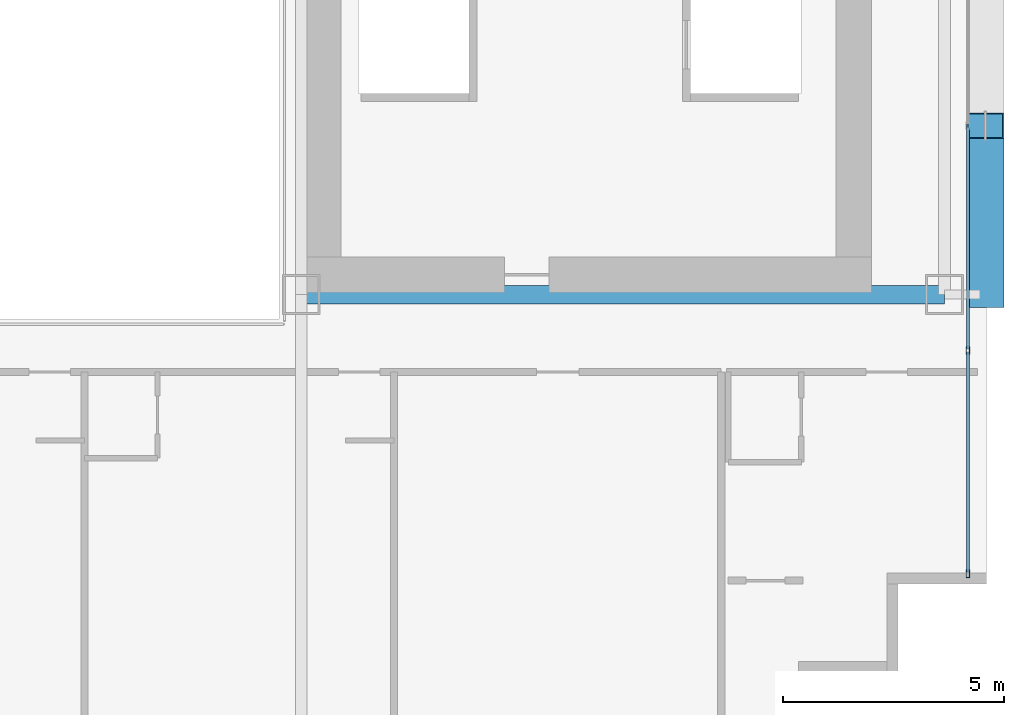
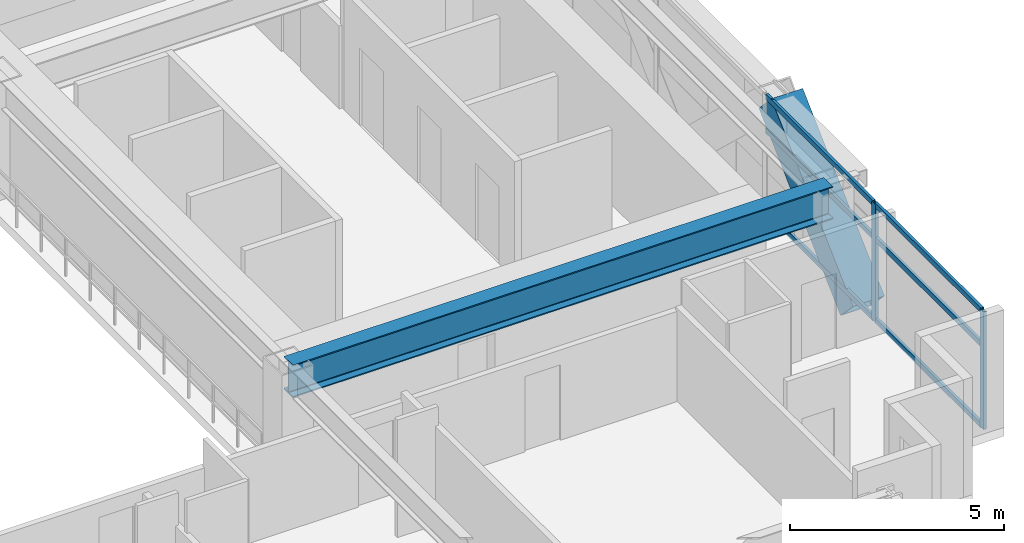
# One storey, part 11 of 35: 9 members, 1 beam, 1 element without a shape of its own.
"""IFC4 building model written with IfcOpenShell, lengths in metres."""

from ifc_helpers import new_model, si_unit, direction, frame, origin, origin_2d, place, context, subcontext, project, spatial, hollow_rectangle, i_section, extrude, source, transform, mapped, material, layer, layer_set, material_profile, profile_set, type_object, element, aggregate, save


model = new_model("IFC4")

# Units and contexts
model_context = context("Model", 3, precision=1e-05, world=origin(), true_north=direction((0.0, 1.0)))
body_context = subcontext(model_context, "Body", "Model", "MODEL_VIEW")
ifc_project = project(units=[si_unit("LENGTHUNIT", "METRE"), si_unit("AREAUNIT", "SQUARE_METRE"), si_unit("VOLUMEUNIT", "CUBIC_METRE"), si_unit("PLANEANGLEUNIT", "RADIAN"), si_unit("MASSUNIT", "GRAM", prefix="KILO")], contexts=[model_context])

# Site, building, storey
site_placement = place(None, origin())
site = spatial("IfcSite", under=ifc_project, at=site_placement, CompositionType="ELEMENT")
building_placement = place(site_placement, origin())
building = spatial("IfcBuilding", under=site, at=building_placement, Name="Ocotamira Hotel", CompositionType="ELEMENT")
storey_placement = place(building_placement, frame((0.0, 0.0, 78.0)))
storey = spatial("IfcBuildingStorey", under=building, at=storey_placement, Name="L19", CompositionType="ELEMENT", Elevation=78.0)

# Beam
ifc_material_1 = material(Name="Steel ASTM A992 Grade 50", Category="steel")
ifc_material_profile_1 = material_profile(ifc_material_1, i_section(OverallWidth=0.41796875, OverallDepth=0.927001953125, WebThickness=0.019287109375, FlangeThickness=0.031982421875, FilletRadius=0.02392578125, at=origin_2d()), Name="W36X231")
ifc_profile_set_1 = profile_set([ifc_material_profile_1], Name="Steel ASTM A992 Grade 50")
beam_type = type_object("IfcBeamType", Name="BM-GIRD-W36X231", PredefinedType="BEAM", material=ifc_profile_set_1)
shared_shape_1 = source(origin(), body_context, "Body", "SweptSolid", [
    extrude(i_section(OverallWidth=0.41796875, OverallDepth=0.927001953125, WebThickness=0.019287109375, FlangeThickness=0.031982421875, FilletRadius=0.02392578125, at=origin_2d()), origin(), (0.0, 0.0, 1.0), 14.550048828125),
])
beam_placement = place(storey_placement, frame((40.5, 14.550048828125, 2.886474609375), z_axis=(1.0, 0.0, 0.0), x_axis=(0.0, 1.0, 0.0)))
element("IfcBeam", 1, at=beam_placement, inside=storey, type_object=beam_type, Name="L19 Girder Y14.55 X40.5-55.05", PredefinedType="BEAM", context=body_context, shape_type="MappedRepresentation", body=[
    mapped(shared_shape_1, transform((0.0, 0.0, 0.0), scale=1.0)),
])

# Member
ifc_material_2 = material(Name="Pale-metal coated steel ASTM A913 Grade 65", Category="steel")
ifc_material_profile_2 = material_profile(ifc_material_2, hollow_rectangle(XDim=0.85009765625, YDim=0.85009765625, WallThickness=0.035888671875, at=origin_2d()), Name="BOX850X850X36")
ifc_profile_set_2 = profile_set([ifc_material_profile_2], Name="Pale-metal coated steel ASTM A913 Grade 65")
member_type_1 = type_object("IfcMemberType", Name="MEM-EXO-BOX850", PredefinedType="BRACE", material=ifc_profile_set_2)
shared_shape_2 = source(origin(), body_context, "Body", "SweptSolid", [
    extrude(hollow_rectangle(XDim=0.85009765625, YDim=0.85009765625, WallThickness=0.035888671875, at=origin_2d()), origin(), (0.0, 0.0, 1.0), 5.24658203125),
])
member_1_placement = place(storey_placement, frame((55.969970703125, 14.550048828125, -0.5), z_axis=(0.0, 0.727442733726, 0.686168397078), x_axis=(-1.0, 0.0, 0.0)))
element("IfcMember", 2, at=member_1_placement, inside=storey, type_object=member_type_1, Name="L19 Exoskeleton Diagrid E0.1", PredefinedType="BRACE", context=body_context, shape_type="MappedRepresentation", body=[
    mapped(shared_shape_2, transform((0.0, 0.0, 0.0), scale=1.0)),
])

# Curtain wall, members
ifc_material_3 = material(Name="Anodised pale-metal aluminium and solar glass", Category="aluminium")
ifc_layer = layer(ifc_material_3, 0.179931640625)
ifc_layer_set = layer_set([ifc_layer], Name="Anodised pale-metal aluminium and solar glass")
curtain_wall_type = type_object("IfcCurtainWallType", Name="CW-SYS2-Z1", PredefinedType="NOTDEFINED", material=ifc_layer_set)
curtain_wall_placement = place(storey_placement, origin())
curtain_wall = element("IfcCurtainWall", 3, at=curtain_wall_placement, inside=storey, type_object=curtain_wall_type, Name="L19 Curtain Wall CW-2 CW-L19-E", PredefinedType="NOTDEFINED")
ifc_material_4 = material(Name="Anodised pale-metal aluminium 6063-T6", Category="aluminium")
ifc_material_profile_3 = material_profile(ifc_material_4, hollow_rectangle(XDim=0.074951171875, YDim=0.14990234375, WallThickness=0.006103515625, at=origin_2d()), Name="HSS150X75X6")
ifc_profile_set_3 = profile_set([ifc_material_profile_3], Name="Anodised pale-metal aluminium 6063-T6")
member_type_2 = type_object("IfcMemberType", Name="CWT-150X75", PredefinedType="USERDEFINED", material=ifc_profile_set_3)
shared_shape_3 = source(origin(), body_context, "Body", "SweptSolid", [
    extrude(hollow_rectangle(XDim=0.074951171875, YDim=0.14990234375, WallThickness=0.006103515625, at=origin_2d()), origin(), (0.0, 0.0, 1.0), 4.965576171875),
])
member_2_placement = place(storey_placement, frame((55.580078125, 8.280029296875, 0.03759765625), z_axis=(0.0, 1.0, 0.0), x_axis=(-1.0, 0.0, 0.0)))
member_2 = element("IfcMember", 4, at=member_2_placement, type_object=member_type_2, Name="CW-2 transom 1.1", ObjectType="TRANSOM", PredefinedType="USERDEFINED", context=body_context, shape_type="MappedRepresentation", body=[
    mapped(shared_shape_3, transform((0.0, 0.0, 0.0), scale=1.0)),
])
member_3_placement = place(storey_placement, frame((55.580078125, 8.280029296875, 2.35009765625), z_axis=(0.0, 1.0, 0.0), x_axis=(-1.0, 0.0, 0.0)))
member_3 = element("IfcMember", 5, at=member_3_placement, type_object=member_type_2, Name="CW-2 transom 1.2", ObjectType="TRANSOM", PredefinedType="USERDEFINED", context=body_context, shape_type="MappedRepresentation", body=[
    mapped(shared_shape_3, transform((0.0, 0.0, 0.0), scale=1.0)),
])
member_4_placement = place(storey_placement, frame((55.580078125, 8.280029296875, 3.3125), z_axis=(0.0, 1.0, 0.0), x_axis=(-1.0, 0.0, 0.0)))
member_4 = element("IfcMember", 6, at=member_4_placement, type_object=member_type_2, Name="CW-2 transom 1.3", ObjectType="TRANSOM", PredefinedType="USERDEFINED", context=body_context, shape_type="MappedRepresentation", body=[
    mapped(shared_shape_3, transform((0.0, 0.0, 0.0), scale=1.0)),
])
shared_shape_4 = source(origin(), body_context, "Body", "SweptSolid", [
    extrude(hollow_rectangle(XDim=0.074951171875, YDim=0.14990234375, WallThickness=0.006103515625, at=origin_2d()), origin(), (0.0, 0.0, 1.0), 5.005859375),
])
member_5_placement = place(storey_placement, frame((55.580078125, 13.32568359375, 0.03759765625), z_axis=(0.0, 1.0, 0.0), x_axis=(-1.0, 0.0, 0.0)))
member_5 = element("IfcMember", 7, at=member_5_placement, type_object=member_type_2, Name="CW-2 transom 2.1", ObjectType="TRANSOM", PredefinedType="USERDEFINED", context=body_context, shape_type="MappedRepresentation", body=[
    mapped(shared_shape_4, transform((0.0, 0.0, 0.0), scale=1.0)),
])
member_6_placement = place(storey_placement, frame((55.580078125, 13.32568359375, 2.35009765625), z_axis=(0.0, 1.0, 0.0), x_axis=(-1.0, 0.0, 0.0)))
member_6 = element("IfcMember", 8, at=member_6_placement, type_object=member_type_2, Name="CW-2 transom 2.2", ObjectType="TRANSOM", PredefinedType="USERDEFINED", context=body_context, shape_type="MappedRepresentation", body=[
    mapped(shared_shape_4, transform((0.0, 0.0, 0.0), scale=1.0)),
])
member_7_placement = place(storey_placement, frame((55.580078125, 13.32568359375, 3.3125), z_axis=(0.0, 1.0, 0.0), x_axis=(-1.0, 0.0, 0.0)))
member_7 = element("IfcMember", 9, at=member_7_placement, type_object=member_type_2, Name="CW-2 transom 2.3", ObjectType="TRANSOM", PredefinedType="USERDEFINED", context=body_context, shape_type="MappedRepresentation", body=[
    mapped(shared_shape_4, transform((0.0, 0.0, 0.0), scale=1.0)),
])
ifc_material_profile_4 = material_profile(ifc_material_4, hollow_rectangle(XDim=0.080078125, YDim=0.179931640625, WallThickness=0.006103515625, at=origin_2d()), Name="HSS180X80X6")
ifc_profile_set_4 = profile_set([ifc_material_profile_4], Name="Anodised pale-metal aluminium 6063-T6")
member_type_3 = type_object("IfcMemberType", Name="CWM-180X75", PredefinedType="MULLION", material=ifc_profile_set_4)
shared_shape_5 = source(origin(), body_context, "Body", "SweptSolid", [
    extrude(hollow_rectangle(XDim=0.080078125, YDim=0.179931640625, WallThickness=0.006103515625, at=origin_2d()), origin(), (0.0, 0.0, 1.0), 3.35009765625),
])
member_8_placement = place(storey_placement, frame((55.580078125, 8.239990234375, 0.0), z_axis=(0.0, 0.0, 1.0), x_axis=(-1.0, 0.0, 0.0)))
member_8 = element("IfcMember", 10, at=member_8_placement, type_object=member_type_3, Name="CW-2 mullion 1", PredefinedType="MULLION", context=body_context, shape_type="MappedRepresentation", body=[
    mapped(shared_shape_5, transform((0.0, 0.0, 0.0), scale=1.0)),
])
member_9_placement = place(storey_placement, frame((55.580078125, 13.28564453125, 0.0), z_axis=(0.0, 0.0, 1.0), x_axis=(-1.0, 0.0, 0.0)))
member_9 = element("IfcMember", 11, at=member_9_placement, type_object=member_type_3, Name="CW-2 mullion 2", PredefinedType="MULLION", context=body_context, shape_type="MappedRepresentation", body=[
    mapped(shared_shape_5, transform((0.0, 0.0, 0.0), scale=1.0)),
])
aggregate(curtain_wall, [member_8, member_9, member_2, member_3, member_4, member_5, member_6, member_7])

save(model, "model.ifc")
